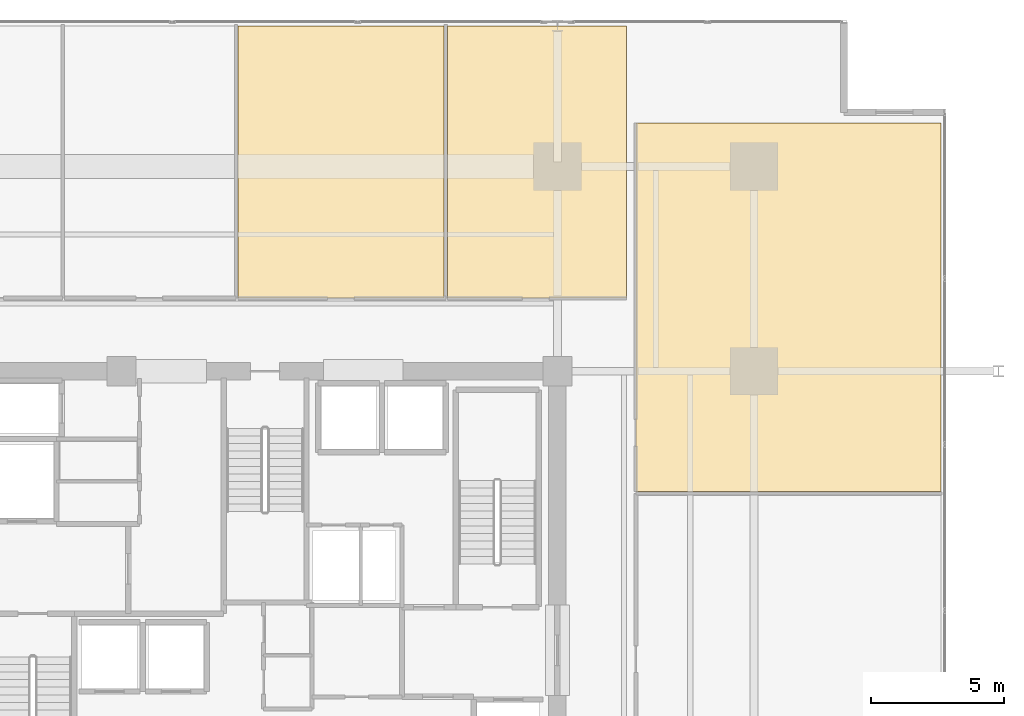
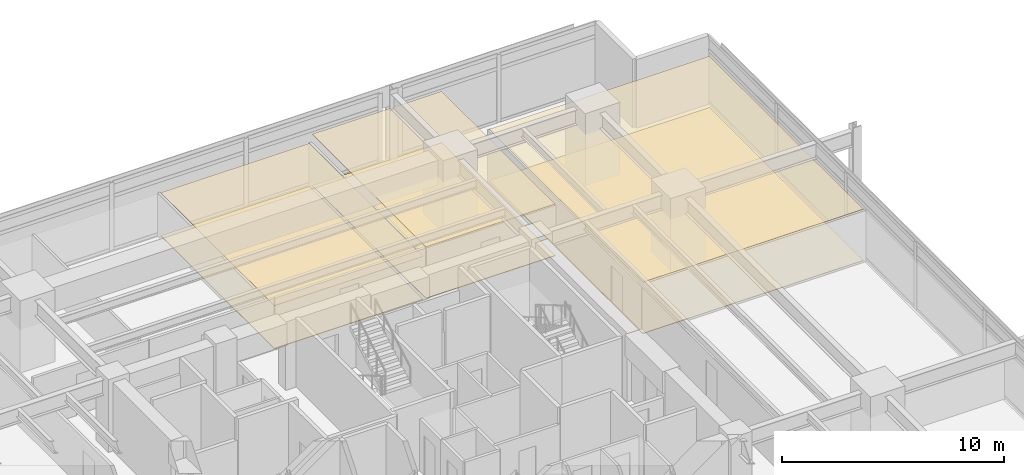
# One storey, part 22 of 22: 6 coverings.
"""IFC4 building model written with IfcOpenShell, lengths in metres."""

from ifc_helpers import new_model, si_unit, direction, frame, origin, place, context, subcontext, project, spatial, polyline, outline, extrude, material, layer, layer_set, type_object, element, save


model = new_model("IFC4")

# Units and contexts
model_context = context("Model", 3, precision=1e-05, world=origin(), true_north=direction((0.0, 1.0)))
body_context = subcontext(model_context, "Body", "Model", "MODEL_VIEW")
ifc_project = project(units=[si_unit("LENGTHUNIT", "METRE"), si_unit("AREAUNIT", "SQUARE_METRE"), si_unit("VOLUMEUNIT", "CUBIC_METRE"), si_unit("PLANEANGLEUNIT", "RADIAN"), si_unit("MASSUNIT", "GRAM", prefix="KILO")], contexts=[model_context])

# Site, building, storey
site_placement = place(None, origin())
site = spatial("IfcSite", under=ifc_project, at=site_placement, CompositionType="ELEMENT")
building_placement = place(site_placement, origin())
building = spatial("IfcBuilding", under=site, at=building_placement, Name="Kovane Verandah Tower", CompositionType="ELEMENT")
storey_placement = place(building_placement, frame((0.0, 0.0, 51.60009765625)))
storey = spatial("IfcBuildingStorey", under=building, at=storey_placement, Name="L11", CompositionType="ELEMENT", Elevation=51.60009765625)

# Coverings
ifc_material_1 = material(Name="Perforated Acoustic Mineral-Fibre Ceiling Tile", Category="gypsum")
ifc_layer_1 = layer(ifc_material_1, 0.02490234375)
ifc_layer_set_1 = layer_set([ifc_layer_1], Name="Perforated Acoustic Mineral-Fibre Ceiling Tile")
covering_type_1 = type_object("IfcCoveringType", Name="CV-CEIL-25", PredefinedType="CEILING", material=ifc_layer_set_1)
covering_1_placement = place(storey_placement, frame((0.0, 0.0, 2.364990234375)))
element("IfcCovering", 1, at=covering_1_placement, inside=storey, type_object=covering_type_1, Name="L11 Focus Studio N3 Acoustic Ceiling", PredefinedType="CEILING", context=body_context, shape_type="SweptSolid", body=[
    extrude(outline(polyline([(38.98193359375, 39.25), (46.72998046875, 39.25), (46.72998046875, 49.49609375), (38.98193359375, 49.49609375), (38.98193359375, 39.25)])), origin(), (0.0, 0.0, 1.0), 0.02490234375),
])
covering_2_placement = place(storey_placement, frame((0.0, 0.0, 2.824951171875)))
element("IfcCovering", 2, at=covering_2_placement, inside=storey, type_object=covering_type_1, Name="L11 Breakout Pantry N4 Acoustic Ceiling", PredefinedType="CEILING", context=body_context, shape_type="SweptSolid", body=[
    extrude(outline(polyline([(46.8701171875, 39.25), (53.60009765625, 39.25), (53.60009765625, 49.49609375), (46.8701171875, 49.49609375), (46.8701171875, 39.25)])), origin(), (0.0, 0.0, 1.0), 0.02490234375),
])
covering_3_placement = place(storey_placement, frame((0.0, 0.0, 2.824951171875)))
element("IfcCovering", 3, at=covering_3_placement, inside=storey, type_object=covering_type_1, Name="L11 Focus Studio E3 Acoustic Ceiling", PredefinedType="CEILING", context=body_context, shape_type="SweptSolid", body=[
    extrude(outline(polyline([(53.949951171875, 31.97314453125), (65.430419921875, 31.97314453125), (65.430419921875, 45.84619140625), (53.949951171875, 45.84619140625), (53.949951171875, 31.97314453125)])), origin(), (0.0, 0.0, 1.0), 0.02490234375),
])
ifc_material_2 = material(Name="Polished Terrazzo and Raised-Access Carpet Tile Finish", Category="concrete")
ifc_layer_2 = layer(ifc_material_2, 0.030029296875)
ifc_layer_set_2 = layer_set([ifc_layer_2], Name="Polished Terrazzo and Raised-Access Carpet Tile Finish")
covering_type_2 = type_object("IfcCoveringType", Name="CV-FLOR-30", PredefinedType="FLOORING", material=ifc_layer_set_2)
covering_4_placement = place(storey_placement, origin())
element("IfcCovering", 4, at=covering_4_placement, inside=storey, type_object=covering_type_2, Name="L11 Focus Studio N3 Floor Finish", PredefinedType="FLOORING", context=body_context, shape_type="SweptSolid", body=[
    extrude(outline(polyline([(38.98193359375, 39.25), (46.72998046875, 39.25), (46.72998046875, 49.49609375), (38.98193359375, 49.49609375), (38.98193359375, 39.25)])), origin(), (0.0, 0.0, 1.0), 0.02978515625),
])
covering_5_placement = place(storey_placement, origin())
element("IfcCovering", 5, at=covering_5_placement, inside=storey, type_object=covering_type_2, Name="L11 Breakout Pantry N4 Floor Finish", PredefinedType="FLOORING", context=body_context, shape_type="SweptSolid", body=[
    extrude(outline(polyline([(46.8701171875, 39.25), (53.60009765625, 39.25), (53.60009765625, 49.49609375), (46.8701171875, 49.49609375), (46.8701171875, 39.25)])), origin(), (0.0, 0.0, 1.0), 0.02978515625),
])
covering_6_placement = place(storey_placement, origin())
element("IfcCovering", 6, at=covering_6_placement, inside=storey, type_object=covering_type_2, Name="L11 Focus Studio E3 Floor Finish", PredefinedType="FLOORING", context=body_context, shape_type="SweptSolid", body=[
    extrude(outline(polyline([(53.949951171875, 31.97314453125), (65.430419921875, 31.97314453125), (65.430419921875, 45.84619140625), (53.949951171875, 45.84619140625), (53.949951171875, 31.97314453125)])), origin(), (0.0, 0.0, 1.0), 0.02978515625),
])

save(model, "model.ifc")
